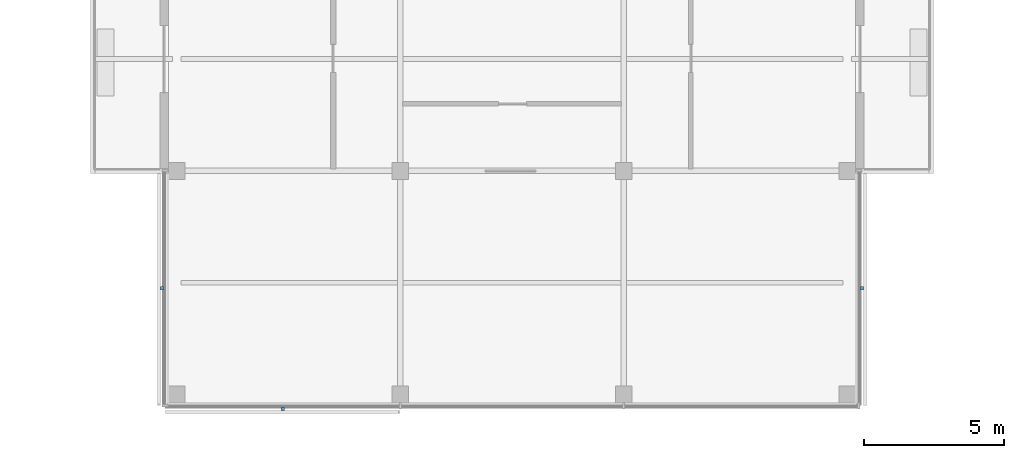
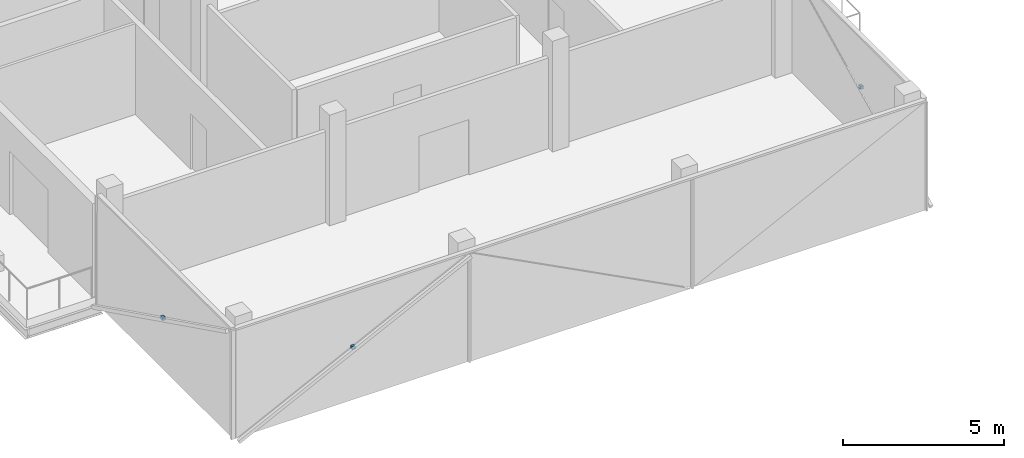
# One storey, part 10 of 12: 3 discrete accessories.
"""IFC4 building model written with IfcOpenShell, lengths in metres."""

import ifcopenshell
import ifcopenshell.guid

model = None  # the IFC model being written
_history = None  # IfcOwnerHistory: only IFC2X3 demands one
_inside = {}  # id of a spatial element -> (the spatial element, [elements in it])
_under = {}  # id of a project, library or spatial element -> (it, [spatial elements below it])
_declared = {}  # id of a project -> (the project, [libraries it declares])
_typed = {}  # id of a type object -> (the type object, [elements of that type])
_made_of = {}  # id of a material, layer set ... -> (it, [elements and type objects made of it])


def new_model(schema):
    """Start an empty IFC model of exactly this schema.

    Asked for "IFC4X3", IfcOpenShell would pick the latest addendum, in which some entities
    have other attributes; the version numbers below select the first issue.
    IFC2X3 requires an IfcOwnerHistory on every rooted entity: one is made here for all.
    """
    global model, _history
    if schema == "IFC4X3":
        model = ifcopenshell.file(schema_version=(4, 3, 0, 0))
    else:
        model = ifcopenshell.file(schema=schema)
    _inside.clear()
    _under.clear()
    _declared.clear()
    _typed.clear()
    _made_of.clear()
    _history = None
    if model.schema == "IFC2X3":
        org = make("IfcOrganization", Name="unknown")
        user = make(
            "IfcPersonAndOrganization",
            ThePerson=make("IfcPerson", FamilyName="unknown"),
            TheOrganization=org,
        )
        app = make(
            "IfcApplication",
            ApplicationDeveloper=org,
            Version="unknown",
            ApplicationFullName="unknown",
            ApplicationIdentifier="unknown",
        )
        _history = make(
            "IfcOwnerHistory",
            OwningUser=user,
            OwningApplication=app,
            ChangeAction="ADDED",
            CreationDate=0,
        )
    return model


def make(cls, **values):
    """One entity of the class cls with the attributes given. An attribute that is None is left unset."""
    return model.create_entity(
        cls, **{name: value for name, value in values.items() if value is not None}
    )


def rooted(cls, **values):
    """An entity with a GlobalId (a new one), such as an element, a storey or a relation."""
    return make(cls, GlobalId=ifcopenshell.guid.new(), OwnerHistory=_history, **values)


def si_unit(unit_type, name, prefix=None):
    """IfcSIUnit, for example si_unit("LENGTHUNIT", "METRE", prefix="MILLI")."""
    return make("IfcSIUnit", UnitType=unit_type, Prefix=prefix, Name=name)


def assignment(units):
    """IfcUnitAssignment: the units of a project."""
    return None if units is None else make("IfcUnitAssignment", Units=units)


def point(xyz):
    """IfcCartesianPoint."""
    return None if xyz is None else make("IfcCartesianPoint", Coordinates=xyz)


def direction(xyz):
    """IfcDirection."""
    return None if xyz is None else make("IfcDirection", DirectionRatios=xyz)


def frame(location, z_axis=None, x_axis=None):
    """IfcAxis2Placement3D, a coordinate frame: its origin and axes. An axis left out is left unset."""
    return make(
        "IfcAxis2Placement3D",
        Location=point(location),
        Axis=direction(z_axis),
        RefDirection=direction(x_axis),
    )


def frame_2d(location, x_axis=None):
    """IfcAxis2Placement2D, a coordinate frame in the plane: its origin and x axis."""
    return make(
        "IfcAxis2Placement2D", Location=point(location), RefDirection=direction(x_axis)
    )


def origin():
    """The frame at (0, 0, 0) with its axes left unset."""
    return frame((0.0, 0.0, 0.0))


def origin_2d():
    """The frame at (0, 0) in the plane with its x axis left unset."""
    return frame_2d((0.0, 0.0))


def place(relative_to, where):
    """IfcLocalPlacement: puts the frame where relative to a parent placement (None: the world)."""
    return make(
        "IfcLocalPlacement", PlacementRelTo=relative_to, RelativePlacement=where
    )


def context(
    kind, dimensions, precision=None, world=None, true_north=None, identifier=None
):
    """IfcGeometricRepresentationContext, for example the 3D "Model" context."""
    return make(
        "IfcGeometricRepresentationContext",
        ContextIdentifier=identifier,
        ContextType=kind,
        CoordinateSpaceDimension=dimensions,
        Precision=precision,
        WorldCoordinateSystem=world,
        TrueNorth=true_north,
    )


def subcontext(parent, identifier, kind, view, scale=None):
    """IfcGeometricRepresentationSubContext, for example "Body" below "Model"."""
    return make(
        "IfcGeometricRepresentationSubContext",
        ContextIdentifier=identifier,
        ContextType=kind,
        ParentContext=parent,
        TargetScale=scale,
        TargetView=view,
    )


def project(units=None, contexts=None):
    """IfcProject with its units and contexts."""
    return rooted(
        "IfcProject",
        Name="project",
        RepresentationContexts=contexts,
        UnitsInContext=assignment(units),
    )


def spatial(cls, under=None, at=None, **own):
    """A site, building, storey or space (cls), placed at a placement, below another one or the project."""
    s = rooted(cls, ObjectPlacement=at, **own)
    if under is not None:
        _under.setdefault(under.id(), (under, []))[1].append(s)
    return s


def profile(cls, at=None, kind="AREA", **sizes):
    """A parametric profile (cls). Its sizes go by their IFC names, for example OverallWidth=200.0."""
    return make(cls, ProfileType=kind, Position=at, **sizes)


def rectangle(**sizes):
    """IfcRectangleProfileDef."""
    return profile("IfcRectangleProfileDef", **sizes)


def extrude(swept, where, along, depth):
    """IfcExtrudedAreaSolid: the profile swept, set in the frame where, extruded along a direction by depth."""
    return make(
        "IfcExtrudedAreaSolid",
        SweptArea=swept,
        Position=where,
        ExtrudedDirection=direction(along),
        Depth=depth,
    )


def shape(context_of_items, identifier, shape_type, items):
    """IfcShapeRepresentation: the items that make up one representation, for example the "Body"."""
    return make(
        "IfcShapeRepresentation",
        ContextOfItems=context_of_items,
        RepresentationIdentifier=identifier,
        RepresentationType=shape_type,
        Items=items,
    )


def material(Name=None, Category=None):
    """IfcMaterial."""
    return make("IfcMaterial", Name=Name, Category=Category)


def made_of(thing, what):
    """Note that an element or type object is made of a material, layer set ...; save() writes the relation."""
    if what is not None:
        _made_of.setdefault(what.id(), (what, []))[1].append(thing)
    return thing


def type_object(cls, material=None, **own):
    """A type object (cls), such as IfcWallType, which elements share."""
    return made_of(rooted(cls, **own), material)


def element(
    cls,
    number,
    at=None,
    inside=None,
    cuts=None,
    type_object=None,
    material=None,
    context=None,
    identifier="Body",
    shape_type=None,
    held_by="IfcProductDefinitionShape",
    body=None,
    shapes=None,
    **own,
):
    """One element of the class cls, such as IfcWall. Its Tag is "e" and its number.

    at: its placement. inside: the storey or other place that contains it. cuts: it is an
    opening in that element (IfcRelVoidsElement). A single representation is given by context,
    identifier, shape_type and body (its items); several are given by shapes. held_by: the class
    of the entity that holds the representations. save() writes the other relations.
    """
    e = rooted(cls, Tag="e%d" % number, ObjectPlacement=at, **own)
    if body is not None:
        shapes = [shape(context, identifier, shape_type, body)]
    if shapes is not None:
        e.Representation = make(held_by, Representations=shapes)
    if inside is not None:
        _inside.setdefault(inside.id(), (inside, []))[1].append(e)
    if cuts is not None:
        rooted(
            "IfcRelVoidsElement", RelatingBuildingElement=cuts, RelatedOpeningElement=e
        )
    if type_object is not None:
        _typed.setdefault(type_object.id(), (type_object, []))[1].append(e)
    return made_of(e, material)


def aggregate(whole, parts):
    """IfcRelAggregates: a whole, such as a stair, and the parts it consists of."""
    return rooted("IfcRelAggregates", RelatingObject=whole, RelatedObjects=parts)


def save(model, path):
    """Write the relations noted so far, then the file.

    IfcRelAggregates (storeys below a building ...), IfcRelContainedInSpatialStructure (elements
    in a storey), IfcRelDefinesByType, IfcRelAssociatesMaterial and IfcRelDeclares: one each for
    every whole, place, type object, material and project.
    """
    for whole, parts in _under.values():
        aggregate(whole, parts)
    for where, things in _inside.values():
        rooted(
            "IfcRelContainedInSpatialStructure",
            RelatedElements=things,
            RelatingStructure=where,
        )
    for kind, things in _typed.values():
        rooted("IfcRelDefinesByType", RelatedObjects=things, RelatingType=kind)
    for what, things in _made_of.values():
        rooted("IfcRelAssociatesMaterial", RelatedObjects=things, RelatingMaterial=what)
    for by, libraries in _declared.values():
        rooted("IfcRelDeclares", RelatingContext=by, RelatedDefinitions=libraries)
    model.write(path)


model = new_model("IFC4")

# Units and contexts
model_context = context("Model", 3, precision=1e-05, world=origin(), true_north=direction((0.0, 1.0)))
body_context = subcontext(model_context, "Body", "Model", "MODEL_VIEW")
ifc_project = project(units=[si_unit("LENGTHUNIT", "METRE"), si_unit("AREAUNIT", "SQUARE_METRE"), si_unit("VOLUMEUNIT", "CUBIC_METRE"), si_unit("PLANEANGLEUNIT", "RADIAN"), si_unit("MASSUNIT", "GRAM", prefix="KILO")], contexts=[model_context])

# Site, building, storey
site_placement = place(None, origin())
site = spatial("IfcSite", under=ifc_project, at=site_placement, CompositionType="ELEMENT")
building_placement = place(site_placement, origin())
building = spatial("IfcBuilding", under=site, at=building_placement, Name="Crosswind Convention Tower", CompositionType="ELEMENT")
storey_placement = place(building_placement, frame((0.0, 0.0, 311.300048828125)))
storey = spatial("IfcBuildingStorey", under=building, at=storey_placement, Name="L67", CompositionType="ELEMENT", Elevation=311.300048828125)

# Discrete accessories
ifc_material = material(Name="Stainless steel", Category="steel")
discrete_accessory_type = type_object("IfcDiscreteAccessoryType", Name="BAGUETTE BRACKET BK3", PredefinedType="BRACKET", material=ifc_material)
for number, where, z_axis, x_axis, name in (
    (1, (112.47412109375, 75.794921875, 1.704833984375), (0.0, 0.0, 1.0), (0.0, -1.0, 0.0), "BK3 baguette bracket"),
    (2, (116.794921875, 71.47412109375, 1.704833984375), (0.0, 0.0, 1.0), (1.0, 0.0, 0.0), "BK3 baguette bracket"),
    (3, (137.52587890625, 75.794921875, 1.704833984375), (0.0, 0.0, 1.0), (0.0, 1.0, 0.0), "BK3 baguette bracket"),
):
    element("IfcDiscreteAccessory", number, at=place(storey_placement, frame(where, z_axis=z_axis, x_axis=x_axis)), inside=storey, type_object=discrete_accessory_type, Name=name, PredefinedType="BRACKET", context=body_context, shape_type="SweptSolid", body=[
        extrude(rectangle(XDim=0.1201171875, YDim=0.10009765625, at=origin_2d()), origin(), (0.0, 0.0, 1.0), 0.1201171875),
    ])

save(model, "model.ifc")
